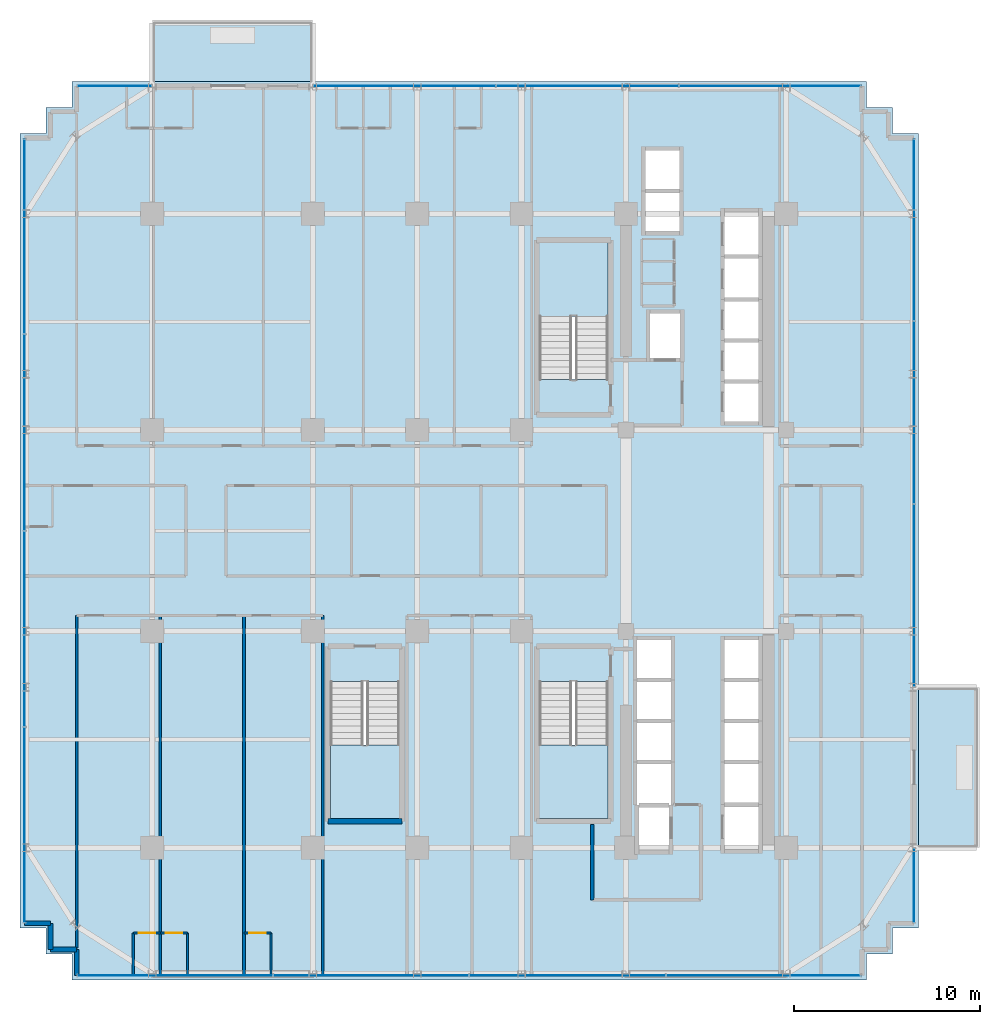
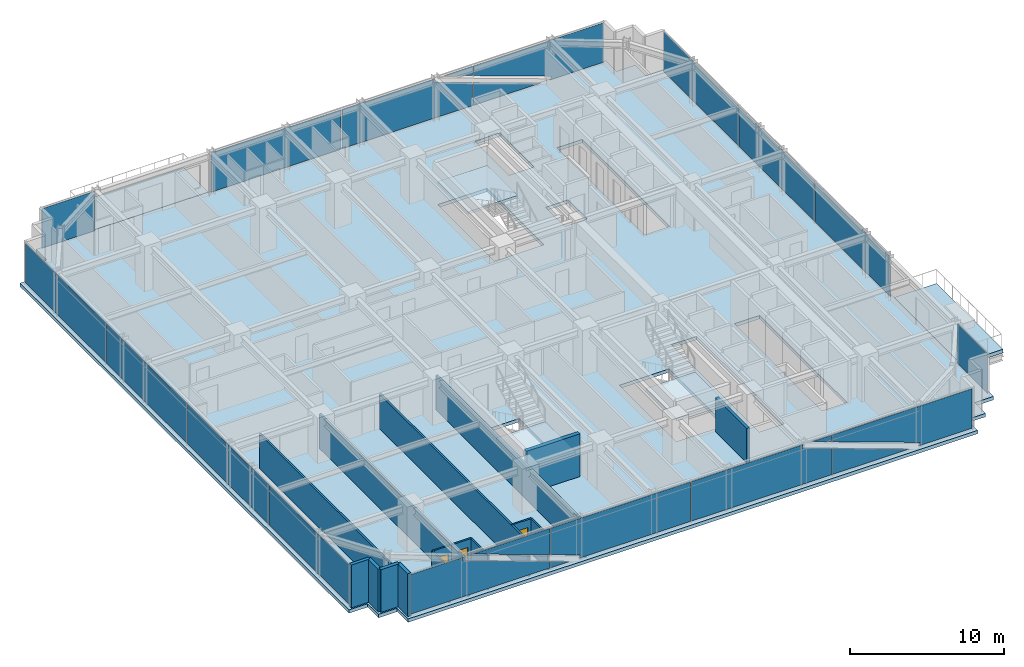
# One storey, part 26 of 34: 16 plates, 16 walls, 6 slabs, 3 doors, 3 openings, 9 elements without a shape of their own.
"""IFC4 building model written with IfcOpenShell, lengths in metres."""

from ifc_helpers import new_model, si_unit, direction, frame, frame_2d, origin, origin_2d, place, context, subcontext, project, spatial, polyline, rectangle, outline, extrude, source, transform, mapped, material, layer, layer_set, type_object, element, fill, aggregate, save


model = new_model("IFC4")

# Units and contexts
model_context = context("Model", 3, precision=1e-05, world=origin(), true_north=direction((0.0, 1.0)))
body_context = subcontext(model_context, "Body", "Model", "MODEL_VIEW")
ifc_project = project(units=[si_unit("LENGTHUNIT", "METRE"), si_unit("AREAUNIT", "SQUARE_METRE"), si_unit("VOLUMEUNIT", "CUBIC_METRE"), si_unit("PLANEANGLEUNIT", "RADIAN"), si_unit("MASSUNIT", "GRAM", prefix="KILO")], contexts=[model_context])

# Site, building, storey
site_placement = place(None, origin())
site = spatial("IfcSite", under=ifc_project, at=site_placement, CompositionType="ELEMENT")
building_placement = place(site_placement, origin())
building = spatial("IfcBuilding", under=site, at=building_placement, Name="Nahalor Promenade Grand Hotel", CompositionType="ELEMENT")
storey_placement = place(building_placement, frame((0.0, 0.0, 99.25)))
storey = spatial("IfcBuildingStorey", under=building, at=storey_placement, Name="L24", CompositionType="ELEMENT", Elevation=99.25)

# Curtain wall, plates
ifc_material_1 = material(Name="Anodised Bronze Aluminium EN AW-6063 T6", Category="aluminium")
curtain_wall_type = type_object("IfcCurtainWallType", Name="CW2 Typical Hotel Flush Bronze Unitised Curtain Wall", PredefinedType="USERDEFINED", material=ifc_material_1)
curtain_wall_1_placement = place(storey_placement, origin())
curtain_wall_1 = element("IfcCurtainWall", 1, at=curtain_wall_1_placement, inside=storey, type_object=curtain_wall_type, Name="L24 Curtain Wall CW-L24-S-1", ObjectType="UNITISED_CURTAIN_WALL", PredefinedType="USERDEFINED")
ifc_material_2 = material(Name="Low-E Laminated Solar Glass", Category="glass")
ifc_layer_1 = layer(ifc_material_2, 0.028076171875)
ifc_layer_set_1 = layer_set([ifc_layer_1], Name="Low-E Laminated Solar Glass")
plate_type = type_object("IfcPlateType", Name="CWP2 Bronze Low-E Vision IGU 28mm", PredefinedType="CURTAIN_PANEL", material=ifc_layer_set_1)
plate_1_placement = place(storey_placement, frame((-15.77880859375, -23.860107421875, 0.1298828125), z_axis=(0.0, 0.0, 1.0), x_axis=(1.0, 0.0, 0.0)))
plate_1 = element("IfcPlate", 2, at=plate_1_placement, type_object=plate_type, Name="CW-L24-S-1 Glazing Panel 0-0", PredefinedType="CURTAIN_PANEL", context=body_context, shape_type="SweptSolid", body=[
    extrude(outline(polyline([(-5.21630859375, 0.0), (5.21630859375, 0.0), (5.21630859375, 0.52880859375), (-1.3291015625, 2.873046875), (-1.24072265625, 3.1201171875), (-5.21630859375, 3.1201171875), (-5.21630859375, 0.0)])), frame((0.0, 0.01416015625, 0.0), z_axis=(0.0, -1.0, 0.0), x_axis=(1.0, 0.0, 0.0)), (0.0, 0.0, 1.0), 0.028076171875),
    extrude(outline(polyline([(5.21630859375, 1.06005859375), (5.21630859375, 3.1201171875), (-0.53564453125, 3.1201171875), (5.21630859375, 1.06005859375)])), frame((0.0, 0.01416015625, 0.0), z_axis=(0.0, -1.0, 0.0), x_axis=(1.0, 0.0, 0.0)), (0.0, 0.0, 1.0), 0.028076171875),
])
plate_2_placement = place(storey_placement, frame((-5.264892578125, -23.860107421875, 0.1298828125), z_axis=(0.0, 0.0, 1.0), x_axis=(1.0, 0.0, 0.0)))
plate_2 = element("IfcPlate", 3, at=plate_2_placement, type_object=plate_type, Name="CW-L24-S-1 Glazing Panel 1-0", PredefinedType="CURTAIN_PANEL", context=body_context, shape_type="SweptSolid", body=[
    extrude(outline(polyline([(5.232421875, 3.1201171875), (-5.232421875, 3.1201171875), (-5.232421875, 1.036865234375), (-3.027099609375, 0.246826171875), (-3.11572265625, 0.0), (5.232421875, 0.0), (5.232421875, 3.1201171875)])), frame((0.0, 0.01416015625, 0.0), z_axis=(0.0, -1.0, 0.0), x_axis=(1.0, 0.0, 0.0)), (0.0, 0.0, 1.0), 0.028076171875),
    extrude(outline(polyline([(-5.232421875, 0.505615234375), (-5.232421875, 0.0), (-3.820556640625, 0.0), (-5.232421875, 0.505615234375)])), frame((0.0, 0.01416015625, 0.0), z_axis=(0.0, -1.0, 0.0), x_axis=(1.0, 0.0, 0.0)), (0.0, 0.0, 1.0), 0.028076171875),
])
plate_3_placement = place(storey_placement, frame((5.264892578125, -23.860107421875, 0.1298828125), z_axis=(0.0, 0.0, 1.0), x_axis=(1.0, 0.0, 0.0)))
plate_3 = element("IfcPlate", 4, at=plate_3_placement, type_object=plate_type, Name="CW-L24-S-1 Glazing Panel 2-0", PredefinedType="CURTAIN_PANEL", context=body_context, shape_type="SweptSolid", body=[
    extrude(outline(polyline([(-5.232421875, 0.0), (5.232421875, 0.0), (5.232421875, 2.083251953125), (3.027099609375, 2.873046875), (3.11572265625, 3.1201171875), (-5.232421875, 3.1201171875), (-5.232421875, 0.0)])), frame((0.0, 0.01416015625, 0.0), z_axis=(0.0, -1.0, 0.0), x_axis=(1.0, 0.0, 0.0)), (0.0, 0.0, 1.0), 0.028076171875),
    extrude(outline(polyline([(5.232421875, 2.6142578125), (5.232421875, 3.1201171875), (3.820556640625, 3.1201171875), (5.232421875, 2.6142578125)])), frame((0.0, 0.01416015625, 0.0), z_axis=(0.0, -1.0, 0.0), x_axis=(1.0, 0.0, 0.0)), (0.0, 0.0, 1.0), 0.028076171875),
])
plate_4_placement = place(storey_placement, frame((15.77880859375, -23.860107421875, 0.1298828125), z_axis=(0.0, 0.0, 1.0), x_axis=(1.0, 0.0, 0.0)))
plate_4 = element("IfcPlate", 5, at=plate_4_placement, type_object=plate_type, Name="CW-L24-S-1 Glazing Panel 3-0", PredefinedType="CURTAIN_PANEL", context=body_context, shape_type="SweptSolid", body=[
    extrude(outline(polyline([(5.21630859375, 3.1201171875), (-5.21630859375, 3.1201171875), (-5.21630859375, 2.591064453125), (1.3291015625, 0.246826171875), (1.24072265625, 0.0), (5.21630859375, 0.0), (5.21630859375, 3.1201171875)])), frame((0.0, 0.01416015625, 0.0), z_axis=(0.0, -1.0, 0.0), x_axis=(1.0, 0.0, 0.0)), (0.0, 0.0, 1.0), 0.028076171875),
    extrude(outline(polyline([(-5.21630859375, 2.06005859375), (-5.21630859375, 0.0), (0.53564453125, 0.0), (-5.21630859375, 2.06005859375)])), frame((0.0, 0.01416015625, 0.0), z_axis=(0.0, -1.0, 0.0), x_axis=(1.0, 0.0, 0.0)), (0.0, 0.0, 1.0), 0.028076171875),
])
aggregate(curtain_wall_1, [plate_1, plate_2, plate_3, plate_4])

curtain_wall_2_placement = place(storey_placement, origin())
curtain_wall_2 = element("IfcCurtainWall", 6, at=curtain_wall_2_placement, inside=storey, type_object=curtain_wall_type, Name="L24 Curtain Wall CW-L24-N-3", ObjectType="UNITISED_CURTAIN_WALL", PredefinedType="USERDEFINED")
plate_5_placement = place(storey_placement, frame((6.330078125, 23.860107421875, 0.1298828125), z_axis=(0.0, 0.0, 1.0), x_axis=(1.0, 0.0, 0.0)))
plate_5 = element("IfcPlate", 7, at=plate_5_placement, type_object=plate_type, Name="CW-L24-N-3 Glazing Panel 1-0", PredefinedType="CURTAIN_PANEL", context=body_context, shape_type="SweptSolid", body=[
    extrude(outline(polyline([(-4.87744140625, 0.0), (4.87744140625, 0.0), (4.87744140625, 1.828857421875), (1.962158203125, 2.873046875), (2.050537109375, 3.1201171875), (-4.87744140625, 3.1201171875), (-4.87744140625, 0.0)])), frame((0.0, 0.01416015625, 0.0), z_axis=(0.0, -1.0, 0.0), x_axis=(1.0, 0.0, 0.0)), (0.0, 0.0, 1.0), 0.028076171875),
    extrude(outline(polyline([(4.87744140625, 2.360107421875), (4.87744140625, 3.1201171875), (2.755615234375, 3.1201171875), (4.87744140625, 2.360107421875)])), frame((0.0, 0.01416015625, 0.0), z_axis=(0.0, -1.0, 0.0), x_axis=(1.0, 0.0, 0.0)), (0.0, 0.0, 1.0), 0.028076171875),
])
plate_6_placement = place(storey_placement, frame((16.1337890625, 23.860107421875, 0.1298828125), z_axis=(0.0, 0.0, 1.0), x_axis=(1.0, 0.0, 0.0)))
plate_6 = element("IfcPlate", 8, at=plate_6_placement, type_object=plate_type, Name="CW-L24-N-3 Glazing Panel 2-0", PredefinedType="CURTAIN_PANEL", context=body_context, shape_type="SweptSolid", body=[
    extrude(outline(polyline([(4.861328125, 3.1201171875), (-4.861328125, 3.1201171875), (-4.861328125, 2.3369140625), (0.97412109375, 0.246826171875), (0.8857421875, 0.0), (4.861328125, 0.0), (4.861328125, 3.1201171875)])), frame((0.0, 0.01416015625, 0.0), z_axis=(0.0, -1.0, 0.0), x_axis=(1.0, 0.0, 0.0)), (0.0, 0.0, 1.0), 0.028076171875),
    extrude(outline(polyline([(-4.861328125, 1.8056640625), (-4.861328125, 0.0), (0.1806640625, 0.0), (-4.861328125, 1.8056640625)])), frame((0.0, 0.01416015625, 0.0), z_axis=(0.0, -1.0, 0.0), x_axis=(1.0, 0.0, 0.0)), (0.0, 0.0, 1.0), 0.028076171875),
])

# Stair, slab
ifc_material_3 = material(Name="Concrete B-50 (C40/50)", Category="concrete")
stair_type_1 = type_object("IfcStairType", Name="Stair-ST1", PredefinedType="HALF_TURN_STAIR", material=ifc_material_3)
stair_1_placement = place(storey_placement, origin())
stair_1 = element("IfcStair", 9, at=stair_1_placement, inside=storey, type_object=stair_type_1, Name="L24 ST1", PredefinedType="HALF_TURN_STAIR")
ifc_layer_2 = layer(ifc_material_3, 0.199951171875)
ifc_layer_set_2 = layer_set([ifc_layer_2], Name="Concrete B-50 (C40/50)")
slab_type_1 = type_object("IfcSlabType", Name="Landing-ST1", PredefinedType="LANDING", material=ifc_layer_set_2)
slab_1_placement = place(storey_placement, frame((0.0, 0.0, 1.625)))
slab_1 = element("IfcSlab", 10, at=slab_1_placement, type_object=slab_type_1, Name="ST1 landing 1", PredefinedType="LANDING", context=body_context, shape_type="SweptSolid", body=[
    extrude(outline(polyline([(7.449951171875, 11.5), (7.449951171875, 15.449951171875), (3.75, 15.449951171875), (3.75, 11.5), (7.449951171875, 11.5)])), origin(), (0.0, 0.0, 1.0), 0.199951171875),
])
aggregate(stair_1, [slab_1])

stair_type_2 = type_object("IfcStairType", Name="Stair-ST2", PredefinedType="HALF_TURN_STAIR", material=ifc_material_3)
stair_2_placement = place(storey_placement, origin())
stair_2 = element("IfcStair", 11, at=stair_2_placement, inside=storey, type_object=stair_type_2, Name="L24 ST2", PredefinedType="HALF_TURN_STAIR")
ifc_layer_3 = layer(ifc_material_3, 0.2099609375)
ifc_layer_set_3 = layer_set([ifc_layer_3], Name="Concrete B-50 (C40/50)")
slab_type_2 = type_object("IfcSlabType", Name="Landing-ST2", PredefinedType="LANDING", material=ifc_layer_set_3)
slab_2_placement = place(storey_placement, frame((0.0, 0.0, 1.614990234375)))
slab_2 = element("IfcSlab", 12, at=slab_2_placement, type_object=slab_type_2, Name="ST2 landing 1", PredefinedType="LANDING", context=body_context, shape_type="SweptSolid", body=[
    extrude(outline(polyline([(3.75, -11.5), (3.75, -15.449951171875), (7.449951171875, -15.449951171875), (7.449951171875, -11.5), (3.75, -11.5)])), origin(), (0.0, 0.0, 1.0), 0.2099609375),
])
aggregate(stair_2, [slab_2])

stair_type_3 = type_object("IfcStairType", Name="Stair-ST3", PredefinedType="HALF_TURN_STAIR", material=ifc_material_3)
stair_3_placement = place(storey_placement, origin())
stair_3 = element("IfcStair", 13, at=stair_3_placement, inside=storey, type_object=stair_type_3, Name="L24 ST3", PredefinedType="HALF_TURN_STAIR")
ifc_layer_4 = layer(ifc_material_3, 0.219970703125)
ifc_layer_set_4 = layer_set([ifc_layer_4], Name="Concrete B-50 (C40/50)")
slab_type_3 = type_object("IfcSlabType", Name="Landing-ST3", PredefinedType="LANDING", material=ifc_layer_set_4)
slab_3_placement = place(storey_placement, frame((0.0, 0.0, 1.60498046875)))
slab_3 = element("IfcSlab", 14, at=slab_3_placement, type_object=slab_type_3, Name="ST3 landing 1", PredefinedType="LANDING", context=body_context, shape_type="SweptSolid", body=[
    extrude(outline(polyline([(-7.449951171875, -11.5), (-7.449951171875, -15.449951171875), (-3.75, -15.449951171875), (-3.75, -11.5), (-7.449951171875, -11.5)])), origin(), (0.0, 0.0, 1.0), 0.219970703125),
])
aggregate(stair_3, [slab_3])

# Slabs
ifc_layer_5 = layer(ifc_material_3, 0.280029296875)
ifc_layer_set_5 = layer_set([ifc_layer_5], Name="Concrete B-50 (C40/50)")
slab_type_4 = type_object("IfcSlabType", Name="Slab-Balcony-280", PredefinedType="FLOOR", material=ifc_layer_set_5)
slab_4_placement = place(storey_placement, frame((0.0, 0.0, -0.280029296875)))
element("IfcSlab", 15, at=slab_4_placement, inside=storey, type_object=slab_type_4, Name="L24 Cantilevered Planted Balcony 1", PredefinedType="FLOOR", context=body_context, shape_type="SweptSolid", body=[
    extrude(outline(polyline([(-17.0, 24.10009765625), (-8.39990234375, 24.10009765625), (-8.39990234375, 27.320068359375), (-17.0, 27.320068359375), (-17.0, 24.10009765625)])), origin(), (0.0, 0.0, 1.0), 0.280029296875),
])
slab_5_placement = place(storey_placement, frame((0.0, 0.0, -0.280029296875)))
element("IfcSlab", 16, at=slab_5_placement, inside=storey, type_object=slab_type_4, Name="L24 Cantilevered Planted Balcony 2", PredefinedType="FLOOR", context=body_context, shape_type="SweptSolid", body=[
    extrude(outline(polyline([(24.10009765625, -17.0), (27.2900390625, -17.0), (27.2900390625, -8.39990234375), (24.10009765625, -8.39990234375), (24.10009765625, -17.0)])), origin(), (0.0, 0.0, 1.0), 0.280029296875),
])
ifc_layer_6 = layer(ifc_material_3, 0.27001953125)
ifc_layer_set_6 = layer_set([ifc_layer_6], Name="Concrete B-50 (C40/50)")
slab_type_5 = type_object("IfcSlabType", Name="Slab-TowerZ2-270", PredefinedType="FLOOR", material=ifc_layer_set_6)
slab_6_placement = place(storey_placement, frame((0.0, 0.0, -0.27001953125)))
element("IfcSlab", 17, at=slab_6_placement, inside=storey, type_object=slab_type_5, Name="L24 Suspended Structural Floor Slab", PredefinedType="FLOOR", context=body_context, shape_type="SweptSolid", body=[
    extrude(outline(polyline([(-21.300048828125, -24.10009765625), (21.300048828125, -24.10009765625), (21.300048828125, -22.699951171875), (22.699951171875, -22.699951171875), (22.699951171875, -21.300048828125), (24.10009765625, -21.300048828125), (24.10009765625, 21.300048828125), (22.699951171875, 21.300048828125), (22.699951171875, 22.699951171875), (21.300048828125, 22.699951171875), (21.300048828125, 24.10009765625), (-21.300048828125, 24.10009765625), (-21.300048828125, 22.699951171875), (-22.699951171875, 22.699951171875), (-22.699951171875, 21.300048828125), (-24.10009765625, 21.300048828125), (-24.10009765625, -21.300048828125), (-22.699951171875, -21.300048828125), (-22.699951171875, -22.699951171875), (-21.300048828125, -22.699951171875), (-21.300048828125, -24.10009765625)]), holes=[polyline([(3.75, 8.10009765625), (7.449951171875, 8.10009765625), (7.449951171875, 15.449951171875), (3.75, 15.449951171875), (3.75, 8.10009765625)]), polyline([(3.75, -15.449951171875), (7.449951171875, -15.449951171875), (7.449951171875, -8.10009765625), (3.75, -8.10009765625), (3.75, -15.449951171875)]), polyline([(-7.449951171875, -15.449951171875), (-3.75, -15.449951171875), (-3.75, -8.10009765625), (-7.449951171875, -8.10009765625), (-7.449951171875, -15.449951171875)]), polyline([(13.659912109375, 5.81005859375), (15.5400390625, 5.81005859375), (15.5400390625, 17.139892578125), (13.659912109375, 17.139892578125), (13.659912109375, 5.81005859375)]), polyline([(13.659912109375, -17.139892578125), (15.5400390625, -17.139892578125), (15.5400390625, -5.81005859375), (13.659912109375, -5.81005859375), (13.659912109375, -17.139892578125)]), polyline([(8.9599609375, -17.18994140625), (10.840087890625, -17.18994140625), (10.840087890625, -5.81005859375), (8.9599609375, -5.81005859375), (8.9599609375, -17.18994140625)]), polyline([(9.409912109375, 16.010009765625), (11.2900390625, 16.010009765625), (11.2900390625, 20.43994140625), (9.409912109375, 20.43994140625), (9.409912109375, 16.010009765625)]), polyline([(9.659912109375, 9.2099609375), (11.340087890625, 9.2099609375), (11.340087890625, 11.68994140625), (9.659912109375, 11.68994140625), (9.659912109375, 9.2099609375)])]), origin(), (0.0, 0.0, 1.0), 0.27001953125),
])

# Curtain wall, plate
curtain_wall_3_placement = place(storey_placement, origin())
curtain_wall_3 = element("IfcCurtainWall", 18, at=curtain_wall_3_placement, inside=storey, type_object=curtain_wall_type, Name="L24 Curtain Wall CW-L24-N-1", ObjectType="UNITISED_CURTAIN_WALL", PredefinedType="USERDEFINED")
shared_shape_1 = source(origin(), body_context, "Body", "SweptSolid", [
    extrude(rectangle(XDim=3.929931640625, YDim=0.028076171875, at=origin_2d()), origin(), (0.0, 0.0, 1.0), 3.1201171875),
])
plate_7_placement = place(storey_placement, frame((-19.030029296875, 23.860107421875, 0.1298828125), z_axis=(0.0, 0.0, 1.0), x_axis=(1.0, 0.0, 0.0)))
plate_7 = element("IfcPlate", 19, at=plate_7_placement, type_object=plate_type, Name="CW-L24-N-1 Glazing Panel 0-0", PredefinedType="CURTAIN_PANEL", context=body_context, shape_type="MappedRepresentation", body=[
    mapped(shared_shape_1, transform((0.0, 0.0, 0.0), scale=1.0)),
])
aggregate(curtain_wall_3, [plate_7])

curtain_wall_4_placement = place(storey_placement, origin())
curtain_wall_4 = element("IfcCurtainWall", 20, at=curtain_wall_4_placement, inside=storey, type_object=curtain_wall_type, Name="L24 Curtain Wall CW-L24-E-1", ObjectType="UNITISED_CURTAIN_WALL", PredefinedType="USERDEFINED")
plate_8_placement = place(storey_placement, frame((23.860107421875, -19.030029296875, 0.1298828125), z_axis=(0.0, 0.0, 1.0), x_axis=(0.0, 1.0, 0.0)))
plate_8 = element("IfcPlate", 21, at=plate_8_placement, type_object=plate_type, Name="CW-L24-E-1 Glazing Panel 0-0", PredefinedType="CURTAIN_PANEL", context=body_context, shape_type="MappedRepresentation", body=[
    mapped(shared_shape_1, transform((0.0, 0.0, 0.0), scale=1.0)),
])
aggregate(curtain_wall_4, [plate_8])

# Plate
shared_shape_2 = source(origin(), body_context, "Body", "SweptSolid", [
    extrude(rectangle(XDim=9.722412109375, YDim=0.028076171875, at=origin_2d()), origin(), (0.0, 0.0, 1.0), 3.1201171875),
])
plate_9_placement = place(storey_placement, frame((-3.4736328125, 23.860107421875, 0.1298828125), z_axis=(0.0, 0.0, 1.0), x_axis=(1.0, 0.0, 0.0)))
plate_9 = element("IfcPlate", 22, at=plate_9_placement, type_object=plate_type, Name="CW-L24-N-3 Glazing Panel 0-0", PredefinedType="CURTAIN_PANEL", context=body_context, shape_type="MappedRepresentation", body=[
    mapped(shared_shape_2, transform((0.0, 0.0, 0.0), scale=1.0)),
])

aggregate(curtain_wall_2, [plate_9, plate_5, plate_6])

# Curtain wall, plates
curtain_wall_5_placement = place(storey_placement, origin())
curtain_wall_5 = element("IfcCurtainWall", 23, at=curtain_wall_5_placement, inside=storey, type_object=curtain_wall_type, Name="L24 Curtain Wall CW-L24-E-3", ObjectType="UNITISED_CURTAIN_WALL", PredefinedType="USERDEFINED")
plate_10_placement = place(storey_placement, frame((23.860107421875, -3.4736328125, 0.1298828125), z_axis=(0.0, 0.0, 1.0), x_axis=(0.0, 1.0, 0.0)))
plate_10 = element("IfcPlate", 24, at=plate_10_placement, type_object=plate_type, Name="CW-L24-E-3 Glazing Panel 0-0", PredefinedType="CURTAIN_PANEL", context=body_context, shape_type="MappedRepresentation", body=[
    mapped(shared_shape_2, transform((0.0, 0.0, 0.0), scale=1.0)),
])
plate_11_placement = place(storey_placement, frame((23.860107421875, 16.1337890625, 0.1298828125), z_axis=(0.0, 0.0, 1.0), x_axis=(0.0, 1.0, 0.0)))
plate_11 = element("IfcPlate", 25, at=plate_11_placement, type_object=plate_type, Name="CW-L24-E-3 Glazing Panel 2-0", PredefinedType="CURTAIN_PANEL", context=body_context, shape_type="MappedRepresentation", body=[
    mapped(shared_shape_2, transform((0.0, 0.0, 0.0), scale=1.0)),
])
shared_shape_3 = source(origin(), body_context, "Body", "SweptSolid", [
    extrude(rectangle(XDim=9.7548828125, YDim=0.028076171875, at=origin_2d()), origin(), (0.0, 0.0, 1.0), 3.1201171875),
])
plate_12_placement = place(storey_placement, frame((23.860107421875, 6.330078125, 0.1298828125), z_axis=(0.0, 0.0, 1.0), x_axis=(0.0, 1.0, 0.0)))
plate_12 = element("IfcPlate", 26, at=plate_12_placement, type_object=plate_type, Name="CW-L24-E-3 Glazing Panel 1-0", PredefinedType="CURTAIN_PANEL", context=body_context, shape_type="MappedRepresentation", body=[
    mapped(shared_shape_3, transform((0.0, 0.0, 0.0), scale=1.0)),
])
aggregate(curtain_wall_5, [plate_10, plate_12, plate_11])

curtain_wall_6_placement = place(storey_placement, origin())
curtain_wall_6 = element("IfcCurtainWall", 27, at=curtain_wall_6_placement, inside=storey, type_object=curtain_wall_type, Name="L24 Curtain Wall CW-L24-W-1", ObjectType="UNITISED_CURTAIN_WALL", PredefinedType="USERDEFINED")
shared_shape_4 = source(origin(), body_context, "Body", "SweptSolid", [
    extrude(rectangle(XDim=10.4326171875, YDim=0.028076171875, at=origin_2d()), origin(), (0.0, 0.0, 1.0), 3.1201171875),
])
plate_13_placement = place(storey_placement, frame((-23.860107421875, -15.77880859375, 0.1298828125), z_axis=(0.0, 0.0, 1.0), x_axis=(0.0, 1.0, 0.0)))
plate_13 = element("IfcPlate", 28, at=plate_13_placement, type_object=plate_type, Name="CW-L24-W-1 Glazing Panel 0-0", PredefinedType="CURTAIN_PANEL", context=body_context, shape_type="MappedRepresentation", body=[
    mapped(shared_shape_4, transform((0.0, 0.0, 0.0), scale=1.0)),
])
plate_14_placement = place(storey_placement, frame((-23.860107421875, 15.77880859375, 0.1298828125), z_axis=(0.0, 0.0, 1.0), x_axis=(0.0, 1.0, 0.0)))
plate_14 = element("IfcPlate", 29, at=plate_14_placement, type_object=plate_type, Name="CW-L24-W-1 Glazing Panel 3-0", PredefinedType="CURTAIN_PANEL", context=body_context, shape_type="MappedRepresentation", body=[
    mapped(shared_shape_4, transform((0.0, 0.0, 0.0), scale=1.0)),
])
shared_shape_5 = source(origin(), body_context, "Body", "SweptSolid", [
    extrude(rectangle(XDim=10.465087890625, YDim=0.028076171875, at=origin_2d()), origin(), (0.0, 0.0, 1.0), 3.1201171875),
])
plate_15_placement = place(storey_placement, frame((-23.860107421875, -5.264892578125, 0.1298828125), z_axis=(0.0, 0.0, 1.0), x_axis=(0.0, 1.0, 0.0)))
plate_15 = element("IfcPlate", 30, at=plate_15_placement, type_object=plate_type, Name="CW-L24-W-1 Glazing Panel 1-0", PredefinedType="CURTAIN_PANEL", context=body_context, shape_type="MappedRepresentation", body=[
    mapped(shared_shape_5, transform((0.0, 0.0, 0.0), scale=1.0)),
])
plate_16_placement = place(storey_placement, frame((-23.860107421875, 5.264892578125, 0.1298828125), z_axis=(0.0, 0.0, 1.0), x_axis=(0.0, 1.0, 0.0)))
plate_16 = element("IfcPlate", 31, at=plate_16_placement, type_object=plate_type, Name="CW-L24-W-1 Glazing Panel 2-0", PredefinedType="CURTAIN_PANEL", context=body_context, shape_type="MappedRepresentation", body=[
    mapped(shared_shape_5, transform((0.0, 0.0, 0.0), scale=1.0)),
])
aggregate(curtain_wall_6, [plate_13, plate_15, plate_16, plate_14])

# Walls
ifc_layer_7 = layer(ifc_material_3, 0.300048828125)
ifc_layer_set_7 = layer_set([ifc_layer_7], Name="Concrete B-50 (C40/50)")
wall_type_1 = type_object("IfcWallType", Name="Wall-ShaftShear-300", PredefinedType="SHEAR", material=ifc_layer_set_7)
shared_shape_6 = source(origin(), body_context, "Body", "SweptSolid", [
    extrude(rectangle(XDim=3.97998046875, YDim=0.300048828125, at=frame_2d((1.989990234375, 0.0))), origin(), (0.0, 0.0, 1.0), 3.3798828125),
])
wall_1_placement = place(storey_placement, frame((-7.590087890625, -15.590087890625, 0.0), z_axis=(0.0, 0.0, 1.0), x_axis=(1.0, 0.0, 0.0)))
element("IfcWall", 32, at=wall_1_placement, inside=storey, type_object=wall_type_1, Name="L24 Exit Stair ST3 Shaft Wall S", PredefinedType="SHEAR", context=body_context, shape_type="MappedRepresentation", body=[
    mapped(shared_shape_6, transform((0.0, 0.0, 0.0), scale=1.0)),
])
ifc_material_4 = material(Name="Concrete B-40 (C32/40)", Category="concrete")
ifc_layer_8 = layer(ifc_material_4, 0.25)
ifc_layer_set_8 = layer_set([ifc_layer_8], Name="Concrete B-40 (C32/40)")
wall_type_2 = type_object("IfcWallType", Name="Wall-BronzePier-250", PredefinedType="STANDARD", material=ifc_layer_set_8)
shared_shape_7 = source(origin(), body_context, "Body", "SweptSolid", [
    extrude(rectangle(XDim=1.400146484375, YDim=0.25, at=frame_2d((0.7001953125, 0.0))), origin(), (0.0, 0.0, 1.0), 3.3798828125),
])
for number, where, z_axis, x_axis, name in (
    (33, (-23.860107421875, -21.06005859375, 0.0), (0.0, 0.0, 1.0), (1.0, 0.0, 0.0), "W-L24-SR-13"),
    (34, (-21.06005859375, -23.860107421875, 0.0), (0.0, 0.0, 1.0), (0.0, 1.0, 0.0), "W-L24-SR-16"),
):
    element("IfcWall", number, at=place(storey_placement, frame(where, z_axis=z_axis, x_axis=x_axis)), inside=storey, type_object=wall_type_2, Name=name, PredefinedType="STANDARD", context=body_context, shape_type="MappedRepresentation", body=[
        mapped(shared_shape_7, transform((0.0, 0.0, 0.0), scale=1.0)),
    ])
shared_shape_8 = source(origin(), body_context, "Body", "SweptSolid", [
    extrude(rectangle(XDim=1.39990234375, YDim=0.25, at=frame_2d((0.699951171875, 0.0))), origin(), (0.0, 0.0, 1.0), 3.3798828125),
])
for number, where, z_axis, x_axis, name in (
    (35, (-22.4599609375, -22.4599609375, 0.0), (0.0, 0.0, 1.0), (0.0, 1.0, 0.0), "W-L24-SR-14"),
    (36, (-22.4599609375, -22.4599609375, 0.0), (0.0, 0.0, 1.0), (1.0, 0.0, 0.0), "W-L24-SR-15"),
):
    element("IfcWall", number, at=place(storey_placement, frame(where, z_axis=z_axis, x_axis=x_axis)), inside=storey, type_object=wall_type_2, Name=name, PredefinedType="STANDARD", context=body_context, shape_type="MappedRepresentation", body=[
        mapped(shared_shape_8, transform((0.0, 0.0, 0.0), scale=1.0)),
    ])
ifc_layer_9 = layer(ifc_material_4, 0.199951171875)
ifc_layer_set_9 = layer_set([ifc_layer_9], Name="Concrete B-40 (C32/40)")
wall_type_3 = type_object("IfcWallType", Name="Wall-PartFire-200", PredefinedType="PARTITIONING", material=ifc_layer_set_9)
shared_shape_9 = source(origin(), body_context, "Body", "SweptSolid", [
    extrude(rectangle(XDim=4.030029296875, YDim=0.199951171875, at=frame_2d((2.01513671875, 0.0))), origin(), (0.0, 0.0, 1.0), 2.719970703125),
])
wall_2_placement = place(storey_placement, frame((6.60009765625, -19.800048828125, 0.0), z_axis=(0.0, 0.0, 1.0), x_axis=(0.0, 1.0, 0.0)))
element("IfcWall", 37, at=wall_2_placement, inside=storey, type_object=wall_type_3, Name="W-L24-FF2-W1", PredefinedType="PARTITIONING", context=body_context, shape_type="MappedRepresentation", body=[
    mapped(shared_shape_9, transform((0.0, 0.0, 0.0), scale=1.0)),
])
ifc_material_5 = material(Name="Acoustic Mineral Gypsum", Category="gypsum")
ifc_layer_10 = layer(ifc_material_5, 0.139892578125)
ifc_layer_set_10 = layer_set([ifc_layer_10], Name="Acoustic Mineral Gypsum")
wall_type_4 = type_object("IfcWallType", Name="Wall-PartSuite-140", PredefinedType="PARTITIONING", material=ifc_layer_set_10)
shared_shape_10 = source(origin(), body_context, "Body", "SweptSolid", [
    extrude(rectangle(XDim=17.829833984375, YDim=0.139892578125, at=frame_2d((8.9150390625, 0.0))), origin(), (0.0, 0.0, 1.0), 2.719970703125),
])
wall_3_placement = place(storey_placement, frame((-21.06005859375, -22.3798828125, 0.0), z_axis=(0.0, 0.0, 1.0), x_axis=(0.0, 1.0, 0.0)))
element("IfcWall", 38, at=wall_3_placement, inside=storey, type_object=wall_type_4, Name="W-L24-SW-ENDW", PredefinedType="PARTITIONING", context=body_context, shape_type="MappedRepresentation", body=[
    mapped(shared_shape_10, transform((0.0, 0.0, 0.0), scale=1.0)),
])
shared_shape_11 = source(origin(), body_context, "Body", "SweptSolid", [
    extrude(rectangle(XDim=19.25, YDim=0.139892578125, at=frame_2d((9.625, 0.0))), origin(), (0.0, 0.0, 1.0), 2.719970703125),
])
for number, where, z_axis, x_axis, name in (
    (39, (-7.860107421875, -23.800048828125, 0.0), (0.0, 0.0, 1.0), (0.0, 1.0, 0.0), "W-L24-SW-ENDE"),
    (40, (-16.572021484375, -23.800048828125, 0.0), (0.0, 0.0, 1.0), (0.0, 1.0, 0.0), "W-L24-SP-1"),
    (41, (-12.083984375, -23.800048828125, 0.0), (0.0, 0.0, 1.0), (0.0, 1.0, 0.0), "W-L24-SP-2"),
):
    element("IfcWall", number, at=place(storey_placement, frame(where, z_axis=z_axis, x_axis=x_axis)), inside=storey, type_object=wall_type_4, Name=name, PredefinedType="PARTITIONING", context=body_context, shape_type="MappedRepresentation", body=[
        mapped(shared_shape_11, transform((0.0, 0.0, 0.0), scale=1.0)),
    ])
ifc_layer_11 = layer(ifc_material_5, 0.1201171875)
ifc_layer_set_11 = layer_set([ifc_layer_11], Name="Acoustic Mineral Gypsum")
wall_type_5 = type_object("IfcWallType", Name="Wall-PartBath-120", PredefinedType="PARTITIONING", material=ifc_layer_set_11)
shared_shape_12 = source(origin(), body_context, "Body", "SweptSolid", [
    extrude(rectangle(XDim=2.219970703125, YDim=0.1201171875, at=frame_2d((1.10986328125, 0.0))), origin(), (0.0, 0.0, 1.0), 2.719970703125),
])
for number, where, z_axis, x_axis, name in (
    (42, (-18.02197265625, -23.800048828125, 0.0), (0.0, 0.0, 1.0), (0.0, 1.0, 0.0), "W-L24-S1-BV"),
    (43, (-15.1220703125, -23.800048828125, 0.0), (0.0, 0.0, 1.0), (0.0, 1.0, 0.0), "W-L24-S2-BV"),
    (44, (-10.634033203125, -23.800048828125, 0.0), (0.0, 0.0, 1.0), (0.0, 1.0, 0.0), "W-L24-S3-BV"),
):
    element("IfcWall", number, at=place(storey_placement, frame(where, z_axis=z_axis, x_axis=x_axis)), inside=storey, type_object=wall_type_5, Name=name, PredefinedType="PARTITIONING", context=body_context, shape_type="MappedRepresentation", body=[
        mapped(shared_shape_12, transform((0.0, 0.0, 0.0), scale=1.0)),
    ])

# Wall, opening, door
shared_shape_13 = source(origin(), body_context, "Body", "SweptSolid", [
    extrude(rectangle(XDim=1.449951171875, YDim=0.1201171875, at=frame_2d((0.72509765625, 0.0))), origin(), (0.0, 0.0, 1.0), 2.719970703125),
])
wall_4_placement = place(storey_placement, frame((-18.02197265625, -21.580078125, 0.0), z_axis=(0.0, 0.0, 1.0), x_axis=(1.0, 0.0, 0.0)))
wall_4 = element("IfcWall", 45, at=wall_4_placement, inside=storey, type_object=wall_type_5, Name="W-L24-S1-BH", PredefinedType="PARTITIONING", context=body_context, shape_type="MappedRepresentation", body=[
    mapped(shared_shape_13, transform((0.0, 0.0, 0.0), scale=1.0)),
])
opening_1_placement = place(wall_4_placement, frame((0.284912109375, 0.0, 0.0)))
opening_1 = element("IfcOpeningElement", 46, at=opening_1_placement, cuts=wall_4, Name="Opening D-03", PredefinedType="OPENING", context=body_context, shape_type="SweptSolid", body=[
    extrude(rectangle(XDim=0.8798828125, YDim=2.10009765625, at=frame_2d((0.43994140625, 1.050048828125))), frame((0.0, 0.070068359375, 0.0), z_axis=(0.0, -1.0, 0.0), x_axis=(1.0, 0.0, 0.0)), (0.0, 0.0, 1.0), 0.14013671875),
])
ifc_material_6 = material(Name="Fire-Rated Timber Composite", Category="wood")
door_type = type_object("IfcDoorType", Name="Door-BathSwing-880", OperationType="NOTDEFINED", PredefinedType="DOOR", material=ifc_material_6)
shared_shape_14 = source(origin(), body_context, "Body", "SweptSolid", [
    extrude(rectangle(XDim=0.8798828125, YDim=2.10009765625, at=frame_2d((0.43994140625, 1.050048828125))), frame((0.0, 0.02490234375, 0.0), z_axis=(0.0, -1.0, 0.0), x_axis=(1.0, 0.0, 0.0)), (0.0, 0.0, 1.0), 0.050048828125),
])
door_1_placement = place(opening_1_placement, frame((0.8798828125, 0.0, 0.0), z_axis=(0.0, 0.0, 1.0), x_axis=(-1.0, 0.0, 0.0)))
door_1 = element("IfcDoor", 47, at=door_1_placement, inside=storey, type_object=door_type, Name="DR-L24-S1-BATH", OperationType="SINGLE_SWING_RIGHT", OverallHeight=2.10009765625, OverallWidth=0.8798828125, PredefinedType="DOOR", context=body_context, shape_type="MappedRepresentation", body=[
    mapped(shared_shape_14, transform((0.0, 0.0, 0.0), scale=1.0)),
])
fill(opening_1, door_1)

wall_5_placement = place(storey_placement, frame((-16.572021484375, -21.580078125, 0.0), z_axis=(0.0, 0.0, 1.0), x_axis=(1.0, 0.0, 0.0)))
wall_5 = element("IfcWall", 48, at=wall_5_placement, inside=storey, type_object=wall_type_5, Name="W-L24-S2-BH", PredefinedType="PARTITIONING", context=body_context, shape_type="MappedRepresentation", body=[
    mapped(shared_shape_13, transform((0.0, 0.0, 0.0), scale=1.0)),
])
opening_2_placement = place(wall_5_placement, frame((0.284912109375, 0.0, 0.0)))
opening_2 = element("IfcOpeningElement", 49, at=opening_2_placement, cuts=wall_5, Name="Opening D-03", PredefinedType="OPENING", context=body_context, shape_type="SweptSolid", body=[
    extrude(rectangle(XDim=0.8798828125, YDim=2.10009765625, at=frame_2d((0.43994140625, 1.050048828125))), frame((0.0, 0.070068359375, 0.0), z_axis=(0.0, -1.0, 0.0), x_axis=(1.0, 0.0, 0.0)), (0.0, 0.0, 1.0), 0.14013671875),
])
door_2_placement = place(opening_2_placement, frame((0.8798828125, 0.0, 0.0), z_axis=(0.0, 0.0, 1.0), x_axis=(-1.0, 0.0, 0.0)))
door_2 = element("IfcDoor", 50, at=door_2_placement, inside=storey, type_object=door_type, Name="DR-L24-S2-BATH", OperationType="SINGLE_SWING_RIGHT", OverallHeight=2.10009765625, OverallWidth=0.8798828125, PredefinedType="DOOR", context=body_context, shape_type="MappedRepresentation", body=[
    mapped(shared_shape_14, transform((0.0, 0.0, 0.0), scale=1.0)),
])
fill(opening_2, door_2)

wall_6_placement = place(storey_placement, frame((-12.083984375, -21.580078125, 0.0), z_axis=(0.0, 0.0, 1.0), x_axis=(1.0, 0.0, 0.0)))
wall_6 = element("IfcWall", 51, at=wall_6_placement, inside=storey, type_object=wall_type_5, Name="W-L24-S3-BH", PredefinedType="PARTITIONING", context=body_context, shape_type="MappedRepresentation", body=[
    mapped(shared_shape_13, transform((0.0, 0.0, 0.0), scale=1.0)),
])
opening_3_placement = place(wall_6_placement, frame((0.284912109375, 0.0, 0.0)))
opening_3 = element("IfcOpeningElement", 52, at=opening_3_placement, cuts=wall_6, Name="Opening D-03", PredefinedType="OPENING", context=body_context, shape_type="SweptSolid", body=[
    extrude(rectangle(XDim=0.8798828125, YDim=2.10009765625, at=frame_2d((0.43994140625, 1.050048828125))), frame((0.0, 0.070068359375, 0.0), z_axis=(0.0, -1.0, 0.0), x_axis=(1.0, 0.0, 0.0)), (0.0, 0.0, 1.0), 0.14013671875),
])
door_3_placement = place(opening_3_placement, frame((0.8798828125, 0.0, 0.0), z_axis=(0.0, 0.0, 1.0), x_axis=(-1.0, 0.0, 0.0)))
door_3 = element("IfcDoor", 53, at=door_3_placement, inside=storey, type_object=door_type, Name="DR-L24-S3-BATH", OperationType="SINGLE_SWING_RIGHT", OverallHeight=2.10009765625, OverallWidth=0.8798828125, PredefinedType="DOOR", context=body_context, shape_type="MappedRepresentation", body=[
    mapped(shared_shape_14, transform((0.0, 0.0, 0.0), scale=1.0)),
])
fill(opening_3, door_3)

save(model, "model.ifc")
